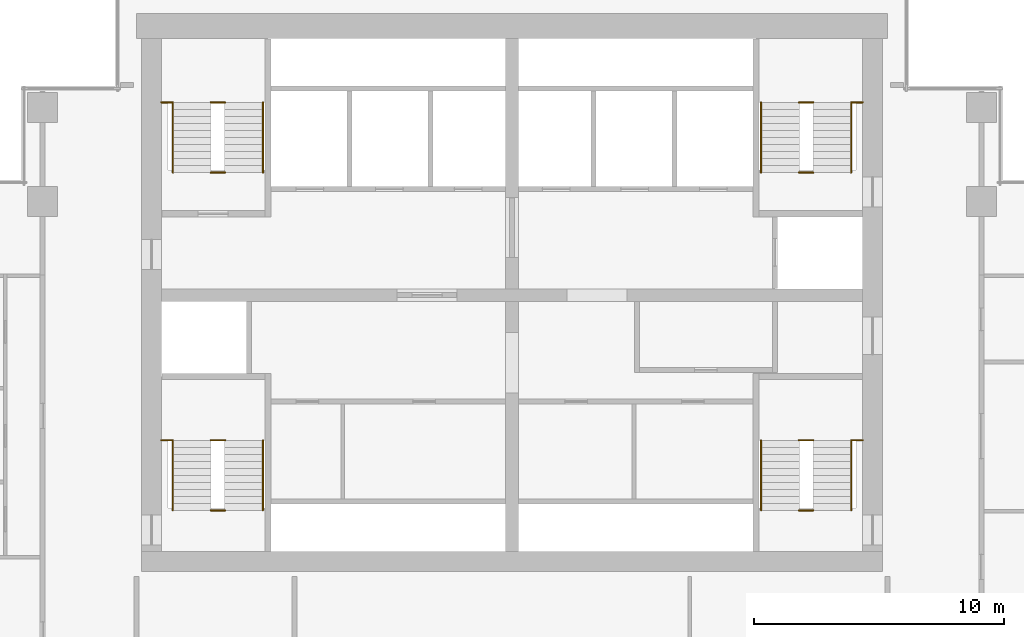
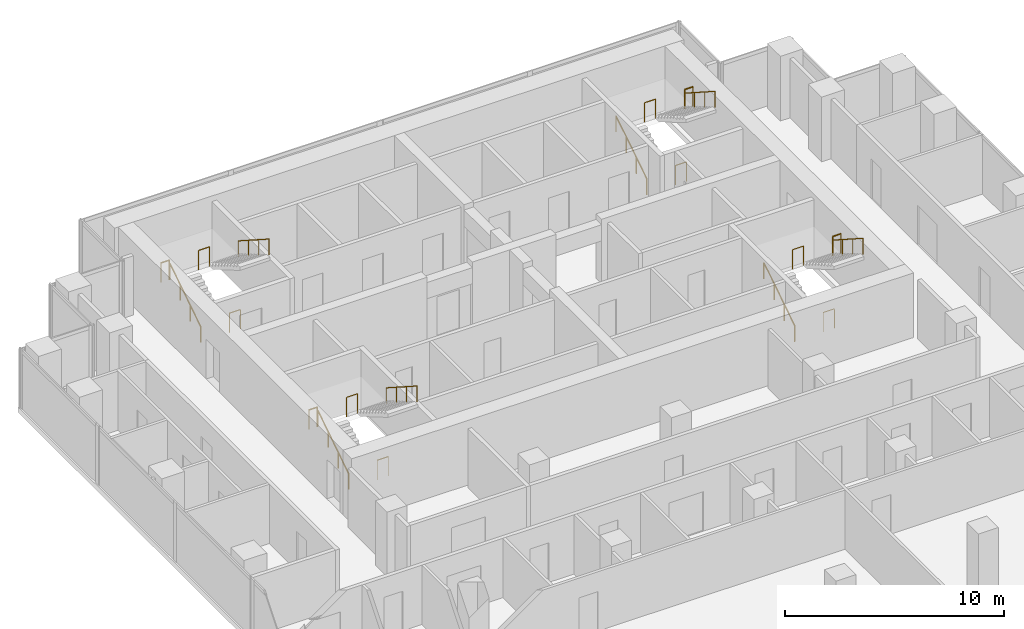
# One storey, part 10 of 10: 20 railings.
"""IFC4 building model written with IfcOpenShell, lengths in metres."""

from ifc_helpers import new_model, si_unit, direction, frame, origin, origin_2d, place, context, subcontext, project, spatial, circle, extrude, material, type_object, element, save


model = new_model("IFC4")

# Units and contexts
model_context = context("Model", 3, precision=1e-05, world=origin(), true_north=direction((0.0, 1.0)))
body_context = subcontext(model_context, "Body", "Model", "MODEL_VIEW")
ifc_project = project(units=[si_unit("LENGTHUNIT", "METRE"), si_unit("AREAUNIT", "SQUARE_METRE"), si_unit("VOLUMEUNIT", "CUBIC_METRE"), si_unit("PLANEANGLEUNIT", "RADIAN"), si_unit("MASSUNIT", "GRAM", prefix="KILO")], contexts=[model_context])

# Site, building, storey
site_placement = place(None, origin())
site = spatial("IfcSite", under=ifc_project, at=site_placement, CompositionType="ELEMENT")
building_placement = place(site_placement, origin())
building = spatial("IfcBuilding", under=site, at=building_placement, Name="Pilkhan Gate Tower", CompositionType="ELEMENT")
storey_placement = place(building_placement, frame((0.0, 0.0, 169.300048828125)))
storey = spatial("IfcBuildingStorey", under=building, at=storey_placement, Name="L43", CompositionType="ELEMENT", Elevation=169.300048828125)

# Railings
ifc_material_1 = material(Name="Black powder-coated steel tube", Category="steel")
railing_type_1 = type_object("IfcRailingType", Name="Stair handrail HR1", PredefinedType="HANDRAIL", material=ifc_material_1)
railing_1_placement = place(storey_placement, frame((84.949951171875, 73.89990234375, 0.0)))
element("IfcRailing", 1, at=railing_1_placement, inside=storey, type_object=railing_type_1, Name="Stair ST1 handrail L43", PredefinedType="HANDRAIL", context=body_context, shape_type="SweptSolid", body=[
    extrude(circle(Radius=0.02392578125, at=origin_2d()), frame((0.0, 0.0, 0.8759765625), z_axis=(0.0, 0.841176092368, 0.540761298198), x_axis=(-1.0, 0.0, 0.0)), (0.0, 0.0, 1.0), 3.32861328125),
    extrude(circle(Radius=0.02099609375, at=origin_2d()), origin(), (0.0, 0.0, 1.0), 0.851806640625),
    extrude(circle(Radius=0.02099609375, at=origin_2d()), frame((0.0, 0.933349609375, 0.60009765625)), (0.0, 0.0, 1.0), 0.851806640625),
    extrude(circle(Radius=0.02099609375, at=origin_2d()), frame((0.0, 1.86669921875, 1.199951171875)), (0.0, 0.0, 1.0), 0.851806640625),
    extrude(circle(Radius=0.02099609375, at=origin_2d()), frame((0.0, 2.800048828125, 1.800048828125)), (0.0, 0.0, 1.0), 0.851806640625),
])
railing_2_placement = place(storey_placement, frame((88.550048828125, 76.699951171875, 1.800048828125)))
element("IfcRailing", 2, at=railing_2_placement, inside=storey, type_object=railing_type_1, Name="Stair ST1 handrail L43", PredefinedType="HANDRAIL", context=body_context, shape_type="SweptSolid", body=[
    extrude(circle(Radius=0.02392578125, at=origin_2d()), frame((0.0, 0.0, 0.8759765625), z_axis=(0.0, -0.841209454229, 0.540709398952), x_axis=(1.0, 0.0, 0.0)), (0.0, 0.0, 1.0), 3.32861328125),
    extrude(circle(Radius=0.02099609375, at=origin_2d()), origin(), (0.0, 0.0, 1.0), 0.851806640625),
    extrude(circle(Radius=0.02099609375, at=origin_2d()), frame((0.0, -0.933349609375, 0.599853515625)), (0.0, 0.0, 1.0), 0.851806640625),
    extrude(circle(Radius=0.02099609375, at=origin_2d()), frame((0.0, -1.86669921875, 1.199951171875)), (0.0, 0.0, 1.0), 0.851806640625),
    extrude(circle(Radius=0.02099609375, at=origin_2d()), frame((0.0, -2.800048828125, 1.7998046875)), (0.0, 0.0, 1.0), 0.851806640625),
])
railing_3_placement = place(storey_placement, frame((61.449951171875, 73.89990234375, 0.0)))
element("IfcRailing", 3, at=railing_3_placement, inside=storey, type_object=railing_type_1, Name="Stair ST2 handrail L43", PredefinedType="HANDRAIL", context=body_context, shape_type="SweptSolid", body=[
    extrude(circle(Radius=0.02392578125, at=origin_2d()), frame((0.0, 0.0, 0.8759765625), z_axis=(0.0, 0.841176092368, 0.540761298198), x_axis=(-1.0, 0.0, 0.0)), (0.0, 0.0, 1.0), 3.32861328125),
    extrude(circle(Radius=0.02099609375, at=origin_2d()), origin(), (0.0, 0.0, 1.0), 0.851806640625),
    extrude(circle(Radius=0.02099609375, at=origin_2d()), frame((0.0, 0.933349609375, 0.60009765625)), (0.0, 0.0, 1.0), 0.851806640625),
    extrude(circle(Radius=0.02099609375, at=origin_2d()), frame((0.0, 1.86669921875, 1.199951171875)), (0.0, 0.0, 1.0), 0.851806640625),
    extrude(circle(Radius=0.02099609375, at=origin_2d()), frame((0.0, 2.800048828125, 1.800048828125)), (0.0, 0.0, 1.0), 0.851806640625),
])
railing_4_placement = place(storey_placement, frame((65.050048828125, 76.699951171875, 1.800048828125)))
element("IfcRailing", 4, at=railing_4_placement, inside=storey, type_object=railing_type_1, Name="Stair ST2 handrail L43", PredefinedType="HANDRAIL", context=body_context, shape_type="SweptSolid", body=[
    extrude(circle(Radius=0.02392578125, at=origin_2d()), frame((0.0, 0.0, 0.8759765625), z_axis=(0.0, -0.841209454229, 0.540709398952), x_axis=(1.0, 0.0, 0.0)), (0.0, 0.0, 1.0), 3.32861328125),
    extrude(circle(Radius=0.02099609375, at=origin_2d()), origin(), (0.0, 0.0, 1.0), 0.851806640625),
    extrude(circle(Radius=0.02099609375, at=origin_2d()), frame((0.0, -0.933349609375, 0.599853515625)), (0.0, 0.0, 1.0), 0.851806640625),
    extrude(circle(Radius=0.02099609375, at=origin_2d()), frame((0.0, -1.86669921875, 1.199951171875)), (0.0, 0.0, 1.0), 0.851806640625),
    extrude(circle(Radius=0.02099609375, at=origin_2d()), frame((0.0, -2.800048828125, 1.7998046875)), (0.0, 0.0, 1.0), 0.851806640625),
])
railing_5_placement = place(storey_placement, frame((61.449951171875, 87.39990234375, 0.0)))
element("IfcRailing", 5, at=railing_5_placement, inside=storey, type_object=railing_type_1, Name="Stair ST3 handrail L43", PredefinedType="HANDRAIL", context=body_context, shape_type="SweptSolid", body=[
    extrude(circle(Radius=0.02392578125, at=origin_2d()), frame((0.0, 0.0, 0.8759765625), z_axis=(0.0, 0.841176092368, 0.540761298198), x_axis=(-1.0, 0.0, 0.0)), (0.0, 0.0, 1.0), 3.32861328125),
    extrude(circle(Radius=0.02099609375, at=origin_2d()), origin(), (0.0, 0.0, 1.0), 0.851806640625),
    extrude(circle(Radius=0.02099609375, at=origin_2d()), frame((0.0, 0.933349609375, 0.60009765625)), (0.0, 0.0, 1.0), 0.851806640625),
    extrude(circle(Radius=0.02099609375, at=origin_2d()), frame((0.0, 1.86669921875, 1.199951171875)), (0.0, 0.0, 1.0), 0.851806640625),
    extrude(circle(Radius=0.02099609375, at=origin_2d()), frame((0.0, 2.800048828125, 1.800048828125)), (0.0, 0.0, 1.0), 0.851806640625),
])
railing_6_placement = place(storey_placement, frame((65.050048828125, 90.199951171875, 1.800048828125)))
element("IfcRailing", 6, at=railing_6_placement, inside=storey, type_object=railing_type_1, Name="Stair ST3 handrail L43", PredefinedType="HANDRAIL", context=body_context, shape_type="SweptSolid", body=[
    extrude(circle(Radius=0.02392578125, at=origin_2d()), frame((0.0, 0.0, 0.8759765625), z_axis=(0.0, -0.841209454229, 0.540709398952), x_axis=(1.0, 0.0, 0.0)), (0.0, 0.0, 1.0), 3.32861328125),
    extrude(circle(Radius=0.02099609375, at=origin_2d()), origin(), (0.0, 0.0, 1.0), 0.851806640625),
    extrude(circle(Radius=0.02099609375, at=origin_2d()), frame((0.0, -0.933349609375, 0.599853515625)), (0.0, 0.0, 1.0), 0.851806640625),
    extrude(circle(Radius=0.02099609375, at=origin_2d()), frame((0.0, -1.86669921875, 1.199951171875)), (0.0, 0.0, 1.0), 0.851806640625),
    extrude(circle(Radius=0.02099609375, at=origin_2d()), frame((0.0, -2.800048828125, 1.7998046875)), (0.0, 0.0, 1.0), 0.851806640625),
])
railing_7_placement = place(storey_placement, frame((84.949951171875, 87.39990234375, 0.0)))
element("IfcRailing", 7, at=railing_7_placement, inside=storey, type_object=railing_type_1, Name="Stair ST4 handrail L43", PredefinedType="HANDRAIL", context=body_context, shape_type="SweptSolid", body=[
    extrude(circle(Radius=0.02392578125, at=origin_2d()), frame((0.0, 0.0, 0.8759765625), z_axis=(0.0, 0.841176092368, 0.540761298198), x_axis=(-1.0, 0.0, 0.0)), (0.0, 0.0, 1.0), 3.32861328125),
    extrude(circle(Radius=0.02099609375, at=origin_2d()), origin(), (0.0, 0.0, 1.0), 0.851806640625),
    extrude(circle(Radius=0.02099609375, at=origin_2d()), frame((0.0, 0.933349609375, 0.60009765625)), (0.0, 0.0, 1.0), 0.851806640625),
    extrude(circle(Radius=0.02099609375, at=origin_2d()), frame((0.0, 1.86669921875, 1.199951171875)), (0.0, 0.0, 1.0), 0.851806640625),
    extrude(circle(Radius=0.02099609375, at=origin_2d()), frame((0.0, 2.800048828125, 1.800048828125)), (0.0, 0.0, 1.0), 0.851806640625),
])
railing_8_placement = place(storey_placement, frame((88.550048828125, 90.199951171875, 1.800048828125)))
element("IfcRailing", 8, at=railing_8_placement, inside=storey, type_object=railing_type_1, Name="Stair ST4 handrail L43", PredefinedType="HANDRAIL", context=body_context, shape_type="SweptSolid", body=[
    extrude(circle(Radius=0.02392578125, at=origin_2d()), frame((0.0, 0.0, 0.8759765625), z_axis=(0.0, -0.841209454229, 0.540709398952), x_axis=(1.0, 0.0, 0.0)), (0.0, 0.0, 1.0), 3.32861328125),
    extrude(circle(Radius=0.02099609375, at=origin_2d()), origin(), (0.0, 0.0, 1.0), 0.851806640625),
    extrude(circle(Radius=0.02099609375, at=origin_2d()), frame((0.0, -0.933349609375, 0.599853515625)), (0.0, 0.0, 1.0), 0.851806640625),
    extrude(circle(Radius=0.02099609375, at=origin_2d()), frame((0.0, -1.86669921875, 1.199951171875)), (0.0, 0.0, 1.0), 0.851806640625),
    extrude(circle(Radius=0.02099609375, at=origin_2d()), frame((0.0, -2.800048828125, 1.7998046875)), (0.0, 0.0, 1.0), 0.851806640625),
])
ifc_material_2 = material(Name="Black powder-coated steel balusters", Category="steel")
railing_type_2 = type_object("IfcRailingType", Name="Stair well guard G3", PredefinedType="GUARDRAIL", material=ifc_material_2)
railing_9_placement = place(storey_placement, frame((88.580078125, 76.699951171875, 1.800048828125)))
element("IfcRailing", 9, at=railing_9_placement, inside=storey, type_object=railing_type_2, Name="Stair ST1 well guard L43", PredefinedType="GUARDRAIL", context=body_context, shape_type="SweptSolid", body=[
    extrude(circle(Radius=0.02392578125, at=origin_2d()), frame((0.0, 0.0, 1.076171875), z_axis=(1.0, 0.0, 0.0), x_axis=(0.0, 1.0, 0.0)), (0.0, 0.0, 1.0), 0.43994140625),
    extrude(circle(Radius=0.02099609375, at=origin_2d()), origin(), (0.0, 0.0, 1.0), 1.052001953125),
    extrude(circle(Radius=0.02099609375, at=origin_2d()), frame((0.43994140625, 0.0, 0.0)), (0.0, 0.0, 1.0), 1.052001953125),
])
for number, where, name in (
    (10, (86.4599609375, 73.89990234375, 0.0), "Stair ST1 well guard L43"),
    (11, (86.4599609375, 76.699951171875, 1.800048828125), "Stair ST1 well guard L43"),
):
    element("IfcRailing", number, at=place(storey_placement, frame(where)), inside=storey, type_object=railing_type_2, Name=name, PredefinedType="GUARDRAIL", context=body_context, shape_type="SweptSolid", body=[
        extrude(circle(Radius=0.02392578125, at=origin_2d()), frame((0.0, 0.0, 1.076171875), z_axis=(1.0, 0.0, 0.0), x_axis=(0.0, 1.0, 0.0)), (0.0, 0.0, 1.0), 0.580078125),
        extrude(circle(Radius=0.02099609375, at=origin_2d()), origin(), (0.0, 0.0, 1.0), 1.052001953125),
        extrude(circle(Radius=0.02099609375, at=origin_2d()), frame((0.580078125, 0.0, 0.0)), (0.0, 0.0, 1.0), 1.052001953125),
    ])
railing_10_placement = place(storey_placement, frame((60.97998046875, 76.699951171875, 1.800048828125)))
element("IfcRailing", 12, at=railing_10_placement, inside=storey, type_object=railing_type_2, Name="Stair ST2 well guard L43", PredefinedType="GUARDRAIL", context=body_context, shape_type="SweptSolid", body=[
    extrude(circle(Radius=0.02392578125, at=origin_2d()), frame((0.0, 0.0, 1.076171875), z_axis=(1.0, 0.0, 0.0), x_axis=(0.0, 1.0, 0.0)), (0.0, 0.0, 1.0), 0.43994140625),
    extrude(circle(Radius=0.02099609375, at=origin_2d()), origin(), (0.0, 0.0, 1.0), 1.052001953125),
    extrude(circle(Radius=0.02099609375, at=origin_2d()), frame((0.43994140625, 0.0, 0.0)), (0.0, 0.0, 1.0), 1.052001953125),
])
for number, where, name in (
    (13, (62.9599609375, 73.89990234375, 0.0), "Stair ST2 well guard L43"),
    (14, (62.9599609375, 76.699951171875, 1.800048828125), "Stair ST2 well guard L43"),
):
    element("IfcRailing", number, at=place(storey_placement, frame(where)), inside=storey, type_object=railing_type_2, Name=name, PredefinedType="GUARDRAIL", context=body_context, shape_type="SweptSolid", body=[
        extrude(circle(Radius=0.02392578125, at=origin_2d()), frame((0.0, 0.0, 1.076171875), z_axis=(1.0, 0.0, 0.0), x_axis=(0.0, 1.0, 0.0)), (0.0, 0.0, 1.0), 0.580078125),
        extrude(circle(Radius=0.02099609375, at=origin_2d()), origin(), (0.0, 0.0, 1.0), 1.052001953125),
        extrude(circle(Radius=0.02099609375, at=origin_2d()), frame((0.580078125, 0.0, 0.0)), (0.0, 0.0, 1.0), 1.052001953125),
    ])
railing_11_placement = place(storey_placement, frame((60.97998046875, 90.199951171875, 1.800048828125)))
element("IfcRailing", 15, at=railing_11_placement, inside=storey, type_object=railing_type_2, Name="Stair ST3 well guard L43", PredefinedType="GUARDRAIL", context=body_context, shape_type="SweptSolid", body=[
    extrude(circle(Radius=0.02392578125, at=origin_2d()), frame((0.0, 0.0, 1.076171875), z_axis=(1.0, 0.0, 0.0), x_axis=(0.0, 1.0, 0.0)), (0.0, 0.0, 1.0), 0.43994140625),
    extrude(circle(Radius=0.02099609375, at=origin_2d()), origin(), (0.0, 0.0, 1.0), 1.052001953125),
    extrude(circle(Radius=0.02099609375, at=origin_2d()), frame((0.43994140625, 0.0, 0.0)), (0.0, 0.0, 1.0), 1.052001953125),
])
for number, where, name in (
    (16, (62.9599609375, 87.39990234375, 0.0), "Stair ST3 well guard L43"),
    (17, (62.9599609375, 90.199951171875, 1.800048828125), "Stair ST3 well guard L43"),
):
    element("IfcRailing", number, at=place(storey_placement, frame(where)), inside=storey, type_object=railing_type_2, Name=name, PredefinedType="GUARDRAIL", context=body_context, shape_type="SweptSolid", body=[
        extrude(circle(Radius=0.02392578125, at=origin_2d()), frame((0.0, 0.0, 1.076171875), z_axis=(1.0, 0.0, 0.0), x_axis=(0.0, 1.0, 0.0)), (0.0, 0.0, 1.0), 0.580078125),
        extrude(circle(Radius=0.02099609375, at=origin_2d()), origin(), (0.0, 0.0, 1.0), 1.052001953125),
        extrude(circle(Radius=0.02099609375, at=origin_2d()), frame((0.580078125, 0.0, 0.0)), (0.0, 0.0, 1.0), 1.052001953125),
    ])
railing_12_placement = place(storey_placement, frame((88.580078125, 90.199951171875, 1.800048828125)))
element("IfcRailing", 18, at=railing_12_placement, inside=storey, type_object=railing_type_2, Name="Stair ST4 well guard L43", PredefinedType="GUARDRAIL", context=body_context, shape_type="SweptSolid", body=[
    extrude(circle(Radius=0.02392578125, at=origin_2d()), frame((0.0, 0.0, 1.076171875), z_axis=(1.0, 0.0, 0.0), x_axis=(0.0, 1.0, 0.0)), (0.0, 0.0, 1.0), 0.43994140625),
    extrude(circle(Radius=0.02099609375, at=origin_2d()), origin(), (0.0, 0.0, 1.0), 1.052001953125),
    extrude(circle(Radius=0.02099609375, at=origin_2d()), frame((0.43994140625, 0.0, 0.0)), (0.0, 0.0, 1.0), 1.052001953125),
])
for number, where, name in (
    (19, (86.4599609375, 87.39990234375, 0.0), "Stair ST4 well guard L43"),
    (20, (86.4599609375, 90.199951171875, 1.800048828125), "Stair ST4 well guard L43"),
):
    element("IfcRailing", number, at=place(storey_placement, frame(where)), inside=storey, type_object=railing_type_2, Name=name, PredefinedType="GUARDRAIL", context=body_context, shape_type="SweptSolid", body=[
        extrude(circle(Radius=0.02392578125, at=origin_2d()), frame((0.0, 0.0, 1.076171875), z_axis=(1.0, 0.0, 0.0), x_axis=(0.0, 1.0, 0.0)), (0.0, 0.0, 1.0), 0.580078125),
        extrude(circle(Radius=0.02099609375, at=origin_2d()), origin(), (0.0, 0.0, 1.0), 1.052001953125),
        extrude(circle(Radius=0.02099609375, at=origin_2d()), frame((0.580078125, 0.0, 0.0)), (0.0, 0.0, 1.0), 1.052001953125),
    ])

save(model, "model.ifc")
